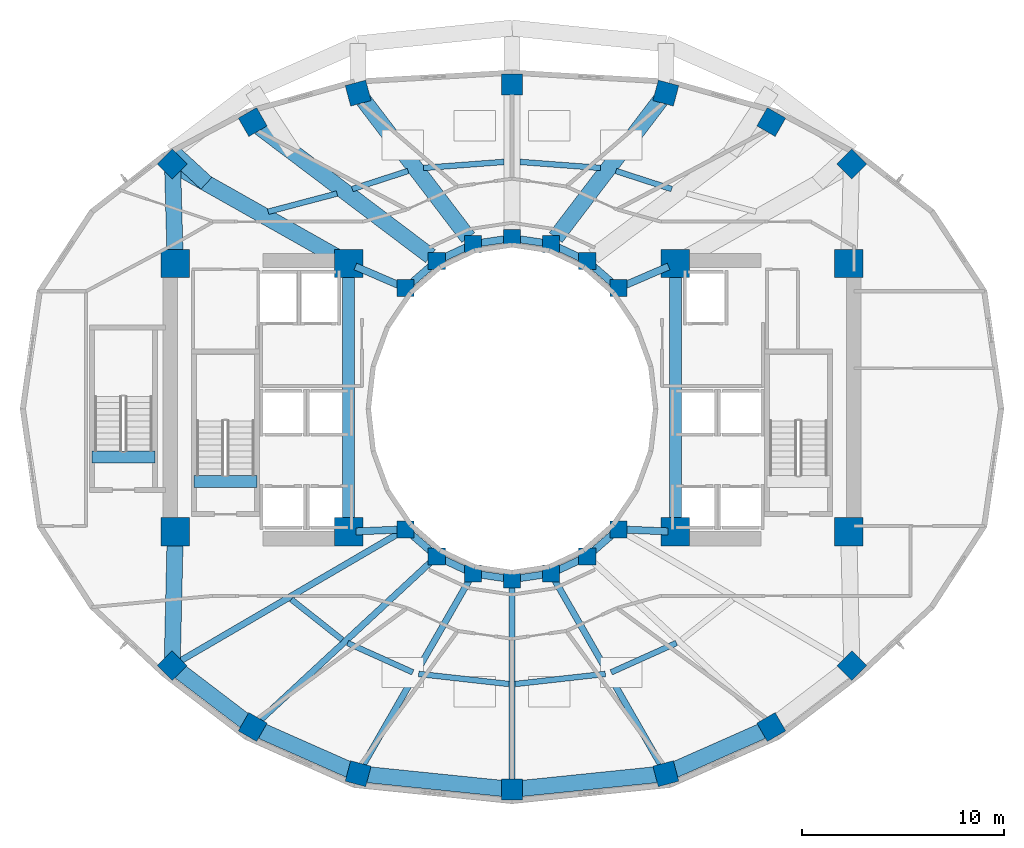
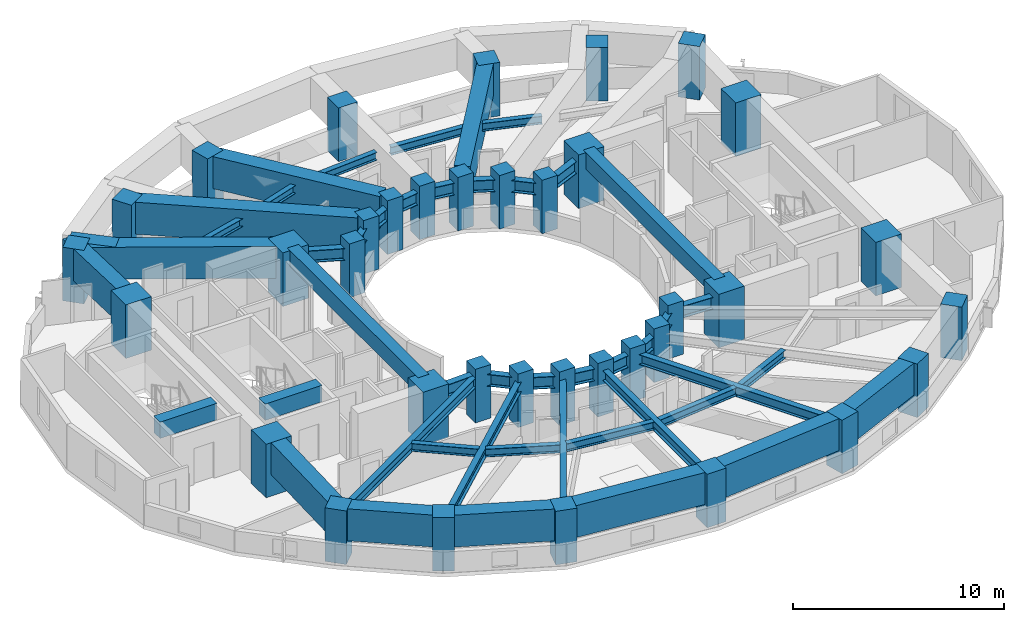
# One storey, part 1 of 10: 47 beams, 36 columns.
"""IFC4 building model written with IfcOpenShell, lengths in metres."""

from ifc_helpers import new_model, si_unit, direction, frame, origin, origin_2d, place, context, subcontext, project, spatial, rectangle, i_section, extrude, material, material_profile, profile_set, type_object, element, save


model = new_model("IFC4")

# Units and contexts
model_context = context("Model", 3, precision=1e-05, world=origin(), true_north=direction((0.0, 1.0)))
body_context = subcontext(model_context, "Body", "Model", "MODEL_VIEW")
ifc_project = project(units=[si_unit("LENGTHUNIT", "METRE"), si_unit("AREAUNIT", "SQUARE_METRE"), si_unit("VOLUMEUNIT", "CUBIC_METRE"), si_unit("PLANEANGLEUNIT", "RADIAN"), si_unit("MASSUNIT", "GRAM", prefix="KILO")], contexts=[model_context])

# Site, building, storey
site_placement = place(None, origin())
site = spatial("IfcSite", under=ifc_project, at=site_placement, CompositionType="ELEMENT")
building_placement = place(site_placement, origin())
building = spatial("IfcBuilding", under=site, at=building_placement, Name="Solvane Sanctuary Tower", CompositionType="ELEMENT")
storey_placement = place(building_placement, frame((0.0, 0.0, 101.10009765625)))
storey = spatial("IfcBuildingStorey", under=building, at=storey_placement, Name="L30", CompositionType="ELEMENT", Elevation=101.10009765625)

# Columns
ifc_material_1 = material(Name="Concrete C70/85", Category="concrete")
ifc_material_profile_1 = material_profile(ifc_material_1, rectangle(XDim=1.39990234375, YDim=1.39990234375, at=origin_2d()), Name="RC1400X1400")
ifc_profile_set_1 = profile_set([ifc_material_profile_1], Name="Concrete C70/85")
column_type_1 = type_object("IfcColumnType", Name="Column C-POD-INT RC1400X1400", PredefinedType="COLUMN", material=ifc_profile_set_1)
for number, where, z_axis, x_axis, name in (
    (1, (15.300048828125, 16.89990234375, 0.0), (0.0, 0.0, 1.0), (1.0, 0.0, 0.0), "L30 Core Corner Column CW1"),
    (2, (23.89990234375, 16.89990234375, 0.0), (0.0, 0.0, 1.0), (1.0, 0.0, 0.0), "L30 Core Corner Column CW2"),
    (3, (23.89990234375, 30.199951171875, 0.0), (0.0, 0.0, 1.0), (1.0, 0.0, 0.0), "L30 Core Corner Column CW3"),
    (4, (15.300048828125, 30.199951171875, 0.0), (0.0, 0.0, 1.0), (1.0, 0.0, 0.0), "L30 Core Corner Column CW4"),
    (5, (40.10009765625, 16.89990234375, 0.0), (0.0, 0.0, 1.0), (1.0, 0.0, 0.0), "L30 Core Corner Column CE1"),
    (6, (48.699951171875, 16.89990234375, 0.0), (0.0, 0.0, 1.0), (1.0, 0.0, 0.0), "L30 Core Corner Column CE2"),
    (7, (48.699951171875, 30.199951171875, 0.0), (0.0, 0.0, 1.0), (1.0, 0.0, 0.0), "L30 Core Corner Column CE3"),
    (8, (40.10009765625, 30.199951171875, 0.0), (0.0, 0.0, 1.0), (1.0, 0.0, 0.0), "L30 Core Corner Column CE4"),
):
    element("IfcColumn", number, at=place(storey_placement, frame(where, z_axis=z_axis, x_axis=x_axis)), inside=storey, type_object=column_type_1, Name=name, PredefinedType="COLUMN", context=body_context, shape_type="SweptSolid", body=[
        extrude(rectangle(XDim=1.39990234375, YDim=1.39990234375, at=origin_2d()), origin(), (0.0, 0.0, 1.0), 3.099853515625),
    ])
ifc_material_2 = material(Name="Concrete C60/75", Category="concrete")
ifc_material_profile_2 = material_profile(ifc_material_2, rectangle(XDim=0.85009765625, YDim=0.85009765625, at=origin_2d()), Name="RC850X850")
ifc_profile_set_2 = profile_set([ifc_material_profile_2], Name="Concrete C60/75")
column_type_2 = type_object("IfcColumnType", Name="Column C-RING-Z2 RC850X850", PredefinedType="COLUMN", material=ifc_profile_set_2)
for number, where, z_axis, x_axis, name in (
    (9, (37.27490234375, 28.982177734375, 0.0), (0.0, 0.0, 1.0), (1.0, 0.0, 0.0), "L30 Inner Light-Well Ring Column IC01"),
    (10, (35.72998046875, 30.32666015625, 0.0), (0.0, 0.0, 1.0), (1.0, 0.0, 0.0), "L30 Inner Light-Well Ring Column IC02"),
    (11, (33.930908203125, 31.171630859375, 0.0), (0.0, 0.0, 1.0), (1.0, 0.0, 0.0), "L30 Inner Light-Well Ring Column IC03"),
    (12, (32.0, 31.4599609375, 0.0), (0.0, 0.0, 1.0), (1.0, 0.0, 0.0), "L30 Inner Light-Well Ring Column IC04"),
    (13, (30.069091796875, 31.171630859375, 0.0), (0.0, 0.0, 1.0), (1.0, 0.0, 0.0), "L30 Inner Light-Well Ring Column IC05"),
    (14, (28.27001953125, 30.32666015625, 0.0), (0.0, 0.0, 1.0), (1.0, 0.0, 0.0), "L30 Inner Light-Well Ring Column IC06"),
    (15, (26.72509765625, 28.982177734375, 0.0), (0.0, 0.0, 1.0), (1.0, 0.0, 0.0), "L30 Inner Light-Well Ring Column IC07"),
    (16, (26.72509765625, 17.017822265625, 0.0), (0.0, 0.0, 1.0), (1.0, 0.0, 0.0), "L30 Inner Light-Well Ring Column IC08"),
    (17, (28.27001953125, 15.67333984375, 0.0), (0.0, 0.0, 1.0), (1.0, 0.0, 0.0), "L30 Inner Light-Well Ring Column IC09"),
    (18, (30.069091796875, 14.828369140625, 0.0), (0.0, 0.0, 1.0), (1.0, 0.0, 0.0), "L30 Inner Light-Well Ring Column IC10"),
    (19, (32.0, 14.5400390625, 0.0), (0.0, 0.0, 1.0), (1.0, 0.0, 0.0), "L30 Inner Light-Well Ring Column IC11"),
    (20, (33.930908203125, 14.828369140625, 0.0), (0.0, 0.0, 1.0), (1.0, 0.0, 0.0), "L30 Inner Light-Well Ring Column IC12"),
    (21, (35.72998046875, 15.67333984375, 0.0), (0.0, 0.0, 1.0), (1.0, 0.0, 0.0), "L30 Inner Light-Well Ring Column IC13"),
    (22, (37.27490234375, 17.017822265625, 0.0), (0.0, 0.0, 1.0), (1.0, 0.0, 0.0), "L30 Inner Light-Well Ring Column IC14"),
):
    element("IfcColumn", number, at=place(storey_placement, frame(where, z_axis=z_axis, x_axis=x_axis)), inside=storey, type_object=column_type_2, Name=name, PredefinedType="COLUMN", context=body_context, shape_type="SweptSolid", body=[
        extrude(rectangle(XDim=0.85009765625, YDim=0.85009765625, at=origin_2d()), origin(), (0.0, 0.0, 1.0), 3.099853515625),
    ])
ifc_material_profile_3 = material_profile(ifc_material_2, rectangle(XDim=1.050048828125, YDim=1.050048828125, at=origin_2d()), Name="RC1050X1050")
ifc_profile_set_3 = profile_set([ifc_material_profile_3], Name="Concrete C60/75")
column_type_3 = type_object("IfcColumnType", Name="Column C-TUBE-Z2 RC1050X1050", PredefinedType="COLUMN", material=ifc_profile_set_3)
for number, where, z_axis, x_axis, name in (
    (23, (48.85302734375, 35.13818359375, 0.0), (0.0, 0.0, 1.0), (0.707106781187, 0.707106781187, 0.0), "L30 Perimeter Tube Column TC01"),
    (24, (44.8583984375, 37.217529296875, 0.0), (0.0, 0.0, 1.0), (0.5, 0.866025403784, 0.0), "L30 Perimeter Tube Column TC02"),
    (25, (39.62939453125, 38.652099609375, 0.0), (0.0, 0.0, 1.0), (0.258819045103, 0.965925826289, 0.0), "L30 Perimeter Tube Column TC03"),
    (26, (32.0, 39.080078125, 0.0), (0.0, 0.0, 1.0), (0.0, 1.0, 0.0), "L30 Perimeter Tube Column TC04"),
    (27, (24.37060546875, 38.652099609375, 0.0), (0.0, 0.0, 1.0), (-0.258819045103, 0.965925826289, 0.0), "L30 Perimeter Tube Column TC05"),
    (28, (19.1416015625, 37.217529296875, 0.0), (0.0, 0.0, 1.0), (-0.5, 0.866025403784, 0.0), "L30 Perimeter Tube Column TC06"),
    (29, (15.14697265625, 35.13818359375, 0.0), (0.0, 0.0, 1.0), (-0.707106781187, 0.707106781187, 0.0), "L30 Perimeter Tube Column TC07"),
    (30, (15.14697265625, 10.257080078125, 0.0), (0.0, 0.0, 1.0), (-0.707106781187, -0.707106781187, 0.0), "L30 Perimeter Tube Column TC08"),
    (31, (19.1416015625, 7.2138671875, 0.0), (0.0, 0.0, 1.0), (-0.5, -0.866025403784, 0.0), "L30 Perimeter Tube Column TC09"),
    (32, (24.37060546875, 4.89990234375, 0.0), (0.0, 0.0, 1.0), (-0.258819045103, -0.965925826289, 0.0), "L30 Perimeter Tube Column TC10"),
    (33, (32.0, 4.1201171875, 0.0), (0.0, 0.0, 1.0), (0.0, -1.0, 0.0), "L30 Perimeter Tube Column TC11"),
    (34, (39.62939453125, 4.89990234375, 0.0), (0.0, 0.0, 1.0), (0.258819045103, -0.965925826289, 0.0), "L30 Perimeter Tube Column TC12"),
    (35, (44.8583984375, 7.2138671875, 0.0), (0.0, 0.0, 1.0), (0.5, -0.866025403784, 0.0), "L30 Perimeter Tube Column TC13"),
    (36, (48.85302734375, 10.257080078125, 0.0), (0.0, 0.0, 1.0), (0.707106781187, -0.707106781187, 0.0), "L30 Perimeter Tube Column TC14"),
):
    element("IfcColumn", number, at=place(storey_placement, frame(where, z_axis=z_axis, x_axis=x_axis)), inside=storey, type_object=column_type_3, Name=name, PredefinedType="COLUMN", context=body_context, shape_type="SweptSolid", body=[
        extrude(rectangle(XDim=1.050048828125, YDim=1.050048828125, at=origin_2d()), origin(), (0.0, 0.0, 1.0), 3.099853515625),
    ])

# Beams
ifc_material_profile_4 = material_profile(ifc_material_1, rectangle(XDim=0.60009765625, YDim=0.949951171875, at=origin_2d()), Name="RC600X950")
ifc_profile_set_4 = profile_set([ifc_material_profile_4], Name="Concrete C70/85")
beam_type_1 = type_object("IfcBeamType", Name="Beam B-COUPLE RC600X950", PredefinedType="LINTEL", material=ifc_profile_set_4)
for number, where, z_axis, x_axis, name in (
    (37, (23.89990234375, 17.35009765625, 2.625), (0.0, 1.0, 0.0), (-1.0, 0.0, 0.0), "L30 West Core Coupling Lintel"),
    (38, (40.10009765625, 17.35009765625, 2.625), (0.0, 1.0, 0.0), (-1.0, 0.0, 0.0), "L30 East Core Coupling Lintel"),
):
    element("IfcBeam", number, at=place(storey_placement, frame(where, z_axis=z_axis, x_axis=x_axis)), inside=storey, type_object=beam_type_1, Name=name, PredefinedType="LINTEL", context=body_context, shape_type="SweptSolid", body=[
        extrude(rectangle(XDim=0.60009765625, YDim=0.949951171875, at=origin_2d()), origin(), (0.0, 0.0, 1.0), 12.39990234375),
    ])
for number, where, z_axis, x_axis, name in (
    (39, (16.22998046875, 19.399169921875, 2.625), (1.0, 0.0, 0.0), (0.0, 1.0, 0.0), "L30 ST-1 Stair Floor Landing Trimmer"),
    (40, (11.169921875, 20.59912109375, 2.625), (1.0, 0.0, 0.0), (0.0, 1.0, 0.0), "L30 ST-3 Stair Floor Landing Trimmer"),
):
    element("IfcBeam", number, at=place(storey_placement, frame(where, z_axis=z_axis, x_axis=x_axis)), inside=storey, type_object=beam_type_1, Name=name, PredefinedType="LINTEL", context=body_context, shape_type="SweptSolid", body=[
        extrude(rectangle(XDim=0.60009765625, YDim=0.949951171875, at=origin_2d()), origin(), (0.0, 0.0, 1.0), 3.1201171875),
    ])
ifc_material_3 = material(Name="Steel ASTM A992 Grade 50", Category="steel")
ifc_material_profile_5 = material_profile(ifc_material_3, i_section(OverallWidth=0.31494140625, OverallDepth=0.575927734375, WebThickness=0.01513671875, FlangeThickness=0.0244140625, FilletRadius=0.014892578125, at=origin_2d()), Name="W21X122")
ifc_profile_set_5 = profile_set([ifc_material_profile_5], Name="Steel ASTM A992 Grade 50")
beam_type_2 = type_object("IfcBeamType", Name="Beam B-RAD-Z2 W21X122", PredefinedType="BEAM", material=ifc_profile_set_5)
beam_1_placement = place(storey_placement, frame((26.483154296875, 16.876708984375, 2.309814453125), z_axis=(-0.863554121542, -0.504256164234, 0.0), x_axis=(0.504256164234, -0.863554121542, 0.0)))
element("IfcBeam", 41, at=beam_1_placement, inside=storey, type_object=beam_type_2, Name="L30 Radial Composite Floor Beam 08", PredefinedType="BEAM", context=body_context, shape_type="SweptSolid", body=[
    extrude(i_section(OverallWidth=0.31494140625, OverallDepth=0.575927734375, WebThickness=0.01513671875, FlangeThickness=0.0244140625, FilletRadius=0.014892578125, at=origin_2d()), origin(), (0.0, 0.0, 1.0), 12.84716796875),
])
beam_2_placement = place(storey_placement, frame((28.064697265625, 15.483154296875, 2.309814453125), z_axis=(-0.733453775248, -0.679739332078, 0.0), x_axis=(0.679739332078, -0.733453775248, 0.0)))
element("IfcBeam", 42, at=beam_2_placement, inside=storey, type_object=beam_type_2, Name="L30 Radial Composite Floor Beam 09", PredefinedType="BEAM", context=body_context, shape_type="SweptSolid", body=[
    extrude(i_section(OverallWidth=0.31494140625, OverallDepth=0.575927734375, WebThickness=0.01513671875, FlangeThickness=0.0244140625, FilletRadius=0.014892578125, at=origin_2d()), origin(), (0.0, 0.0, 1.0), 11.885498046875),
])
beam_3_placement = place(storey_placement, frame((29.9296875, 14.58544921875, 2.309814453125), z_axis=(-0.497792245326, -0.8672963049, 0.0), x_axis=(0.8672963049, -0.497792245326, 0.0)))
element("IfcBeam", 43, at=beam_3_placement, inside=storey, type_object=beam_type_2, Name="L30 Radial Composite Floor Beam 10", PredefinedType="BEAM", context=body_context, shape_type="SweptSolid", body=[
    extrude(i_section(OverallWidth=0.31494140625, OverallDepth=0.575927734375, WebThickness=0.01513671875, FlangeThickness=0.0244140625, FilletRadius=0.014892578125, at=origin_2d()), origin(), (0.0, 0.0, 1.0), 10.887451171875),
])
beam_4_placement = place(storey_placement, frame((32.0, 14.260009765625, 2.309814453125), z_axis=(0.0, -1.0, 0.0), x_axis=(1.0, 0.0, 0.0)))
element("IfcBeam", 44, at=beam_4_placement, inside=storey, type_object=beam_type_2, Name="L30 Radial Composite Floor Beam 11", PredefinedType="BEAM", context=body_context, shape_type="SweptSolid", body=[
    extrude(i_section(OverallWidth=0.31494140625, OverallDepth=0.575927734375, WebThickness=0.01513671875, FlangeThickness=0.0244140625, FilletRadius=0.014892578125, at=origin_2d()), origin(), (0.0, 0.0, 1.0), 9.860107421875),
])
beam_5_placement = place(storey_placement, frame((34.0703125, 14.58544921875, 2.309814453125), z_axis=(0.497792245326, -0.8672963049, 0.0), x_axis=(0.8672963049, 0.497792245326, 0.0)))
element("IfcBeam", 45, at=beam_5_placement, inside=storey, type_object=beam_type_2, Name="L30 Radial Composite Floor Beam 12", PredefinedType="BEAM", context=body_context, shape_type="SweptSolid", body=[
    extrude(i_section(OverallWidth=0.31494140625, OverallDepth=0.575927734375, WebThickness=0.01513671875, FlangeThickness=0.0244140625, FilletRadius=0.014892578125, at=origin_2d()), origin(), (0.0, 0.0, 1.0), 10.887451171875),
])
ifc_material_profile_6 = material_profile(ifc_material_3, i_section(OverallWidth=0.35498046875, OverallDepth=0.695068359375, WebThickness=0.015380859375, FlangeThickness=0.02490234375, FilletRadius=0.01806640625, at=origin_2d()), Name="W27X146")
ifc_profile_set_6 = profile_set([ifc_material_profile_6], Name="Steel ASTM A992 Grade 50")
beam_type_3 = type_object("IfcBeamType", Name="Beam B-RING-IN1 W27X146", PredefinedType="BEAM", material=ifc_profile_set_6)
beam_6_placement = place(storey_placement, frame((24.230712890625, 30.0576171875, 2.25048828125), z_axis=(0.918261456479, -0.3959746173, 0.0), x_axis=(0.3959746173, 0.918261456479, 0.0)))
element("IfcBeam", 46, at=beam_6_placement, inside=storey, type_object=beam_type_3, Name="L30 Inner Light-Well Ring Beam CW3-IC07", PredefinedType="BEAM", context=body_context, shape_type="SweptSolid", body=[
    extrude(i_section(OverallWidth=0.35498046875, OverallDepth=0.695068359375, WebThickness=0.015380859375, FlangeThickness=0.02490234375, FilletRadius=0.01806640625, at=origin_2d()), origin(), (0.0, 0.0, 1.0), 2.3212890625),
])
beam_7_placement = place(storey_placement, frame((27.02294921875, 29.241455078125, 2.25048828125), z_axis=(0.754317177099, 0.656510164684, 0.0), x_axis=(-0.656510164684, 0.754317177099, 0.0)))
element("IfcBeam", 47, at=beam_7_placement, inside=storey, type_object=beam_type_3, Name="L30 Inner Light-Well Ring Beam IC07-IC06", PredefinedType="BEAM", context=body_context, shape_type="SweptSolid", body=[
    extrude(i_section(OverallWidth=0.35498046875, OverallDepth=0.695068359375, WebThickness=0.015380859375, FlangeThickness=0.02490234375, FilletRadius=0.01806640625, at=origin_2d()), origin(), (0.0, 0.0, 1.0), 1.258056640625),
])
beam_8_placement = place(storey_placement, frame((28.62744140625, 30.494384765625, 2.25048828125), z_axis=(0.905044882818, 0.425316070804, 0.0), x_axis=(-0.425316070804, 0.905044882818, 0.0)))
element("IfcBeam", 48, at=beam_8_placement, inside=storey, type_object=beam_type_3, Name="L30 Inner Light-Well Ring Beam IC06-IC05", PredefinedType="BEAM", context=body_context, shape_type="SweptSolid", body=[
    extrude(i_section(OverallWidth=0.35498046875, OverallDepth=0.695068359375, WebThickness=0.015380859375, FlangeThickness=0.02490234375, FilletRadius=0.01806640625, at=origin_2d()), origin(), (0.0, 0.0, 1.0), 1.197998046875),
])
for number, where, z_axis, x_axis, name in (
    (49, (30.4599609375, 31.22998046875, 2.25048828125), (0.989034751611, 0.147682971619, 0.0), (-0.147682971619, 0.989034751611, 0.0), "L30 Inner Light-Well Ring Beam IC05-IC04"),
    (50, (32.390625, 31.401611328125, 2.25048828125), (0.989034751611, -0.147682971619, 0.0), (0.147682971619, 0.989034751611, 0.0), "L30 Inner Light-Well Ring Beam IC04-IC03"),
):
    element("IfcBeam", number, at=place(storey_placement, frame(where, z_axis=z_axis, x_axis=x_axis)), inside=storey, type_object=beam_type_3, Name=name, PredefinedType="BEAM", context=body_context, shape_type="SweptSolid", body=[
        extrude(i_section(OverallWidth=0.35498046875, OverallDepth=0.695068359375, WebThickness=0.015380859375, FlangeThickness=0.02490234375, FilletRadius=0.01806640625, at=origin_2d()), origin(), (0.0, 0.0, 1.0), 1.162109375),
    ])
beam_9_placement = place(storey_placement, frame((34.288330078125, 31.00390625, 2.25048828125), z_axis=(0.905044882818, -0.425316070804, 0.0), x_axis=(0.425316070804, 0.905044882818, 0.0)))
element("IfcBeam", 51, at=beam_9_placement, inside=storey, type_object=beam_type_3, Name="L30 Inner Light-Well Ring Beam IC03-IC02", PredefinedType="BEAM", context=body_context, shape_type="SweptSolid", body=[
    extrude(i_section(OverallWidth=0.35498046875, OverallDepth=0.695068359375, WebThickness=0.015380859375, FlangeThickness=0.02490234375, FilletRadius=0.01806640625, at=origin_2d()), origin(), (0.0, 0.0, 1.0), 1.197998046875),
])
beam_10_placement = place(storey_placement, frame((36.028076171875, 30.0673828125, 2.25048828125), z_axis=(0.754317177099, -0.656510164684, 0.0), x_axis=(0.656510164684, 0.754317177099, 0.0)))
element("IfcBeam", 52, at=beam_10_placement, inside=storey, type_object=beam_type_3, Name="L30 Inner Light-Well Ring Beam IC02-IC01", PredefinedType="BEAM", context=body_context, shape_type="SweptSolid", body=[
    extrude(i_section(OverallWidth=0.35498046875, OverallDepth=0.695068359375, WebThickness=0.015380859375, FlangeThickness=0.02490234375, FilletRadius=0.01806640625, at=origin_2d()), origin(), (0.0, 0.0, 1.0), 1.258056640625),
])
beam_11_placement = place(storey_placement, frame((37.6376953125, 29.138427734375, 2.25048828125), z_axis=(0.918261456479, 0.3959746173, 0.0), x_axis=(-0.3959746173, 0.918261456479, 0.0)))
element("IfcBeam", 53, at=beam_11_placement, inside=storey, type_object=beam_type_3, Name="L30 Inner Light-Well Ring Beam IC01-CE4", PredefinedType="BEAM", context=body_context, shape_type="SweptSolid", body=[
    extrude(i_section(OverallWidth=0.35498046875, OverallDepth=0.695068359375, WebThickness=0.015380859375, FlangeThickness=0.02490234375, FilletRadius=0.01806640625, at=origin_2d()), origin(), (0.0, 0.0, 1.0), 2.3212890625),
])
beam_12_placement = place(storey_placement, frame((24.259765625, 16.9150390625, 2.25048828125), z_axis=(0.999130007788, 0.041704047018, 0.0), x_axis=(-0.041704047018, 0.999130007788, 0.0)))
element("IfcBeam", 54, at=beam_12_placement, inside=storey, type_object=beam_type_3, Name="L30 Inner Light-Well Ring Beam CW2-IC08", PredefinedType="BEAM", context=body_context, shape_type="SweptSolid", body=[
    extrude(i_section(OverallWidth=0.35498046875, OverallDepth=0.695068359375, WebThickness=0.015380859375, FlangeThickness=0.02490234375, FilletRadius=0.01806640625, at=origin_2d()), origin(), (0.0, 0.0, 1.0), 2.072265625),
])
beam_13_placement = place(storey_placement, frame((27.02294921875, 16.758544921875, 2.25048828125), z_axis=(0.754317177099, -0.656510164684, 0.0), x_axis=(0.656510164684, 0.754317177099, 0.0)))
element("IfcBeam", 55, at=beam_13_placement, inside=storey, type_object=beam_type_3, Name="L30 Inner Light-Well Ring Beam IC08-IC09", PredefinedType="BEAM", context=body_context, shape_type="SweptSolid", body=[
    extrude(i_section(OverallWidth=0.35498046875, OverallDepth=0.695068359375, WebThickness=0.015380859375, FlangeThickness=0.02490234375, FilletRadius=0.01806640625, at=origin_2d()), origin(), (0.0, 0.0, 1.0), 1.258056640625),
])
beam_14_placement = place(storey_placement, frame((28.62744140625, 15.505615234375, 2.25048828125), z_axis=(0.905044882818, -0.425316070804, 0.0), x_axis=(0.425316070804, 0.905044882818, 0.0)))
element("IfcBeam", 56, at=beam_14_placement, inside=storey, type_object=beam_type_3, Name="L30 Inner Light-Well Ring Beam IC09-IC10", PredefinedType="BEAM", context=body_context, shape_type="SweptSolid", body=[
    extrude(i_section(OverallWidth=0.35498046875, OverallDepth=0.695068359375, WebThickness=0.015380859375, FlangeThickness=0.02490234375, FilletRadius=0.01806640625, at=origin_2d()), origin(), (0.0, 0.0, 1.0), 1.197998046875),
])
for number, where, z_axis, x_axis, name in (
    (57, (30.4599609375, 14.77001953125, 2.25048828125), (0.989034751611, -0.147682971619, 0.0), (0.147682971619, 0.989034751611, 0.0), "L30 Inner Light-Well Ring Beam IC10-IC11"),
    (58, (32.390625, 14.598388671875, 2.25048828125), (0.989034751611, 0.147682971619, 0.0), (-0.147682971619, 0.989034751611, 0.0), "L30 Inner Light-Well Ring Beam IC11-IC12"),
):
    element("IfcBeam", number, at=place(storey_placement, frame(where, z_axis=z_axis, x_axis=x_axis)), inside=storey, type_object=beam_type_3, Name=name, PredefinedType="BEAM", context=body_context, shape_type="SweptSolid", body=[
        extrude(i_section(OverallWidth=0.35498046875, OverallDepth=0.695068359375, WebThickness=0.015380859375, FlangeThickness=0.02490234375, FilletRadius=0.01806640625, at=origin_2d()), origin(), (0.0, 0.0, 1.0), 1.162109375),
    ])
beam_15_placement = place(storey_placement, frame((34.288330078125, 14.99609375, 2.25048828125), z_axis=(0.905044882818, 0.425316070804, 0.0), x_axis=(-0.425316070804, 0.905044882818, 0.0)))
element("IfcBeam", 59, at=beam_15_placement, inside=storey, type_object=beam_type_3, Name="L30 Inner Light-Well Ring Beam IC12-IC13", PredefinedType="BEAM", context=body_context, shape_type="SweptSolid", body=[
    extrude(i_section(OverallWidth=0.35498046875, OverallDepth=0.695068359375, WebThickness=0.015380859375, FlangeThickness=0.02490234375, FilletRadius=0.01806640625, at=origin_2d()), origin(), (0.0, 0.0, 1.0), 1.197998046875),
])
beam_16_placement = place(storey_placement, frame((36.028076171875, 15.9326171875, 2.25048828125), z_axis=(0.754317177099, 0.656510164684, 0.0), x_axis=(-0.656510164684, 0.754317177099, 0.0)))
element("IfcBeam", 60, at=beam_16_placement, inside=storey, type_object=beam_type_3, Name="L30 Inner Light-Well Ring Beam IC13-IC14", PredefinedType="BEAM", context=body_context, shape_type="SweptSolid", body=[
    extrude(i_section(OverallWidth=0.35498046875, OverallDepth=0.695068359375, WebThickness=0.015380859375, FlangeThickness=0.02490234375, FilletRadius=0.01806640625, at=origin_2d()), origin(), (0.0, 0.0, 1.0), 1.258056640625),
])
beam_17_placement = place(storey_placement, frame((37.669677734375, 17.00146484375, 2.25048828125), z_axis=(0.999130007788, -0.041704047018, 0.0), x_axis=(0.041704047018, 0.999130007788, 0.0)))
element("IfcBeam", 61, at=beam_17_placement, inside=storey, type_object=beam_type_3, Name="L30 Inner Light-Well Ring Beam IC14-CE1", PredefinedType="BEAM", context=body_context, shape_type="SweptSolid", body=[
    extrude(i_section(OverallWidth=0.35498046875, OverallDepth=0.695068359375, WebThickness=0.015380859375, FlangeThickness=0.02490234375, FilletRadius=0.01806640625, at=origin_2d()), origin(), (0.0, 0.0, 1.0), 2.072265625),
])
ifc_material_profile_7 = material_profile(ifc_material_3, i_section(OverallWidth=0.280029296875, OverallDepth=0.462890625, WebThickness=0.0107421875, FlangeThickness=0.017333984375, FilletRadius=0.013916015625, at=origin_2d()), Name="W18X76")
ifc_profile_set_7 = profile_set([ifc_material_profile_7], Name="Steel ASTM A992 Grade 50")
beam_type_4 = type_object("IfcBeamType", Name="Beam B-SEC-JOIST W18X76", PredefinedType="JOIST", material=ifc_profile_set_7)
beam_18_placement = place(storey_placement, frame((19.905517578125, 32.769775390625, 2.366455078125), z_axis=(0.966933950573, 0.2550269304, 0.0), x_axis=(-0.2550269304, 0.966933950573, 0.0)))
element("IfcBeam", 62, at=beam_18_placement, inside=storey, type_object=beam_type_4, Name="L30 Secondary Circumferential Joist 07-06", PredefinedType="JOIST", context=body_context, shape_type="SweptSolid", body=[
    extrude(i_section(OverallWidth=0.280029296875, OverallDepth=0.462890625, WebThickness=0.0107421875, FlangeThickness=0.017333984375, FilletRadius=0.013916015625, at=origin_2d()), origin(), (0.0, 0.0, 1.0), 3.535400390625),
])
beam_19_placement = place(storey_placement, frame((24.08154296875, 33.89404296875, 2.366455078125), z_axis=(0.951224152345, 0.308500586701, 0.0), x_axis=(-0.308500586701, 0.951224152345, 0.0)))
element("IfcBeam", 63, at=beam_19_placement, inside=storey, type_object=beam_type_4, Name="L30 Secondary Circumferential Joist 06-05", PredefinedType="JOIST", context=body_context, shape_type="SweptSolid", body=[
    extrude(i_section(OverallWidth=0.280029296875, OverallDepth=0.462890625, WebThickness=0.0107421875, FlangeThickness=0.017333984375, FilletRadius=0.013916015625, at=origin_2d()), origin(), (0.0, 0.0, 1.0), 2.904296875),
])
for number, where, z_axis, x_axis, name in (
    (64, (27.61376953125, 34.94140625, 2.366455078125), (0.997206014057, 0.074700505548, 0.0), (-0.074700505548, 0.997206014057, 0.0), "L30 Secondary Circumferential Joist 05-04"),
    (65, (32.393798828125, 35.240478515625, 2.366455078125), (0.997206014057, -0.074700505548, 0.0), (0.074700505548, 0.997206014057, 0.0), "L30 Secondary Circumferential Joist 04-03"),
):
    element("IfcBeam", number, at=place(storey_placement, frame(where, z_axis=z_axis, x_axis=x_axis)), inside=storey, type_object=beam_type_4, Name=name, PredefinedType="JOIST", context=body_context, shape_type="SweptSolid", body=[
        extrude(i_section(OverallWidth=0.280029296875, OverallDepth=0.462890625, WebThickness=0.0107421875, FlangeThickness=0.017333984375, FilletRadius=0.013916015625, at=origin_2d()), origin(), (0.0, 0.0, 1.0), 4.003662109375),
    ])
beam_20_placement = place(storey_placement, frame((37.15576171875, 34.7900390625, 2.366455078125), z_axis=(0.951224152345, -0.308500586701, 0.0), x_axis=(0.308500586701, 0.951224152345, 0.0)))
element("IfcBeam", 66, at=beam_20_placement, inside=storey, type_object=beam_type_4, Name="L30 Secondary Circumferential Joist 03-02", PredefinedType="JOIST", context=body_context, shape_type="SweptSolid", body=[
    extrude(i_section(OverallWidth=0.280029296875, OverallDepth=0.462890625, WebThickness=0.0107421875, FlangeThickness=0.017333984375, FilletRadius=0.013916015625, at=origin_2d()), origin(), (0.0, 0.0, 1.0), 2.904296875),
])
beam_21_placement = place(storey_placement, frame((21.055419921875, 13.54296875, 2.366455078125), z_axis=(0.783877123324, -0.620915981055, 0.0), x_axis=(0.620915981055, 0.783877123324, 0.0)))
element("IfcBeam", 67, at=beam_21_placement, inside=storey, type_object=beam_type_4, Name="L30 Secondary Circumferential Joist 08-09", PredefinedType="JOIST", context=body_context, shape_type="SweptSolid", body=[
    extrude(i_section(OverallWidth=0.280029296875, OverallDepth=0.462890625, WebThickness=0.0107421875, FlangeThickness=0.017333984375, FilletRadius=0.013916015625, at=origin_2d()), origin(), (0.0, 0.0, 1.0), 3.228515625),
])
beam_22_placement = place(storey_placement, frame((23.844970703125, 11.381103515625, 2.366455078125), z_axis=(0.912109406194, -0.409946863792, 0.0), x_axis=(0.409946863792, 0.912109406194, 0.0)))
element("IfcBeam", 68, at=beam_22_placement, inside=storey, type_object=beam_type_4, Name="L30 Secondary Circumferential Joist 09-10", PredefinedType="JOIST", context=body_context, shape_type="SweptSolid", body=[
    extrude(i_section(OverallWidth=0.280029296875, OverallDepth=0.462890625, WebThickness=0.0107421875, FlangeThickness=0.017333984375, FilletRadius=0.013916015625, at=origin_2d()), origin(), (0.0, 0.0, 1.0), 3.547607421875),
])
for number, where, z_axis, x_axis, name in (
    (69, (27.37158203125, 9.847412109375, 2.366455078125), (0.993808821383, -0.111103674747, 0.0), (0.111103674747, 0.993808821383, 0.0), "L30 Secondary Circumferential Joist 10-11"),
    (70, (32.151611328125, 9.346923828125, 2.366455078125), (0.993808821383, 0.111103674747, 0.0), (-0.111103674747, 0.993808821383, 0.0), "L30 Secondary Circumferential Joist 11-12"),
):
    element("IfcBeam", number, at=place(storey_placement, frame(where, z_axis=z_axis, x_axis=x_axis)), inside=storey, type_object=beam_type_4, Name=name, PredefinedType="JOIST", context=body_context, shape_type="SweptSolid", body=[
        extrude(i_section(OverallWidth=0.280029296875, OverallDepth=0.462890625, WebThickness=0.0107421875, FlangeThickness=0.017333984375, FilletRadius=0.013916015625, at=origin_2d()), origin(), (0.0, 0.0, 1.0), 4.504638671875),
    ])
beam_23_placement = place(storey_placement, frame((36.919189453125, 9.9267578125, 2.366455078125), z_axis=(0.912109406194, 0.409946863792, 0.0), x_axis=(-0.409946863792, 0.912109406194, 0.0)))
element("IfcBeam", 71, at=beam_23_placement, inside=storey, type_object=beam_type_4, Name="L30 Secondary Circumferential Joist 12-13", PredefinedType="JOIST", context=body_context, shape_type="SweptSolid", body=[
    extrude(i_section(OverallWidth=0.280029296875, OverallDepth=0.462890625, WebThickness=0.0107421875, FlangeThickness=0.017333984375, FilletRadius=0.013916015625, at=origin_2d()), origin(), (0.0, 0.0, 1.0), 3.547607421875),
])
ifc_material_profile_8 = material_profile(ifc_material_1, rectangle(XDim=0.800048828125, YDim=1.85009765625, at=origin_2d()), Name="RC800X1850")
ifc_profile_set_8 = profile_set([ifc_material_profile_8], Name="Concrete C70/85")
beam_type_5 = type_object("IfcBeamType", Name="Beam B-XFER-BLK RC800X1850", PredefinedType="BEAM", material=ifc_profile_set_8)
for number, where, z_axis, x_axis, name in (
    (72, (34.170166015625, 31.48583984375, 2.1748046875), (0.605981369549, 0.795478836777, 0.0), (-0.795478836777, 0.605981369549, 0.0), "L30 Block-Shift Radial Transfer Girder 03A"),
    (73, (29.829833984375, 31.48583984375, 2.1748046875), (-0.605981369549, 0.795478836777, 0.0), (-0.795478836777, -0.605981369549, 0.0), "L30 Block-Shift Radial Transfer Girder 05A"),
):
    element("IfcBeam", number, at=place(storey_placement, frame(where, z_axis=z_axis, x_axis=x_axis)), inside=storey, type_object=beam_type_5, Name=name, PredefinedType="BEAM", context=body_context, shape_type="SweptSolid", body=[
        extrude(rectangle(XDim=0.800048828125, YDim=1.85009765625, at=origin_2d()), origin(), (0.0, 0.0, 1.0), 8.563720703125),
    ])
beam_24_placement = place(storey_placement, frame((27.95458984375, 30.564697265625, 2.1748046875), z_axis=(-0.798118916751, 0.602499954128, 0.0), x_axis=(-0.602499954128, -0.798118916751, 0.0)))
element("IfcBeam", 74, at=beam_24_placement, inside=storey, type_object=beam_type_5, Name="L30 Block-Shift Radial Transfer Girder 06A", PredefinedType="BEAM", context=body_context, shape_type="SweptSolid", body=[
    extrude(rectangle(XDim=0.800048828125, YDim=1.85009765625, at=origin_2d()), origin(), (0.0, 0.0, 1.0), 10.59716796875),
])
beam_25_placement = place(storey_placement, frame((23.58642578125, 30.376953125, 2.1748046875), z_axis=(-0.870957023886, 0.491359199103, 0.0), x_axis=(-0.491359199103, -0.870957023886, 0.0)))
element("IfcBeam", 75, at=beam_25_placement, inside=storey, type_object=beam_type_5, Name="L30 Block-Shift Radial Transfer Girder 07A", PredefinedType="BEAM", context=body_context, shape_type="SweptSolid", body=[
    extrude(rectangle(XDim=0.800048828125, YDim=1.85009765625, at=origin_2d()), origin(), (0.0, 0.0, 1.0), 9.24462890625),
])
beam_26_placement = place(storey_placement, frame((16.845458984375, 34.179931640625, 2.1748046875), z_axis=(-0.735848790929, 0.677145890402, 0.0), x_axis=(-0.677145890402, -0.735848790929, 0.0)))
element("IfcBeam", 76, at=beam_26_placement, inside=storey, type_object=beam_type_5, Name="L30 Block-Shift Transfer Tie 07B", PredefinedType="BEAM", context=body_context, shape_type="SweptSolid", body=[
    extrude(rectangle(XDim=0.800048828125, YDim=1.85009765625, at=origin_2d()), origin(), (0.0, 0.0, 1.0), 2.30810546875),
])
beam_27_placement = place(storey_placement, frame((15.2900390625, 30.559814453125, 2.1748046875), z_axis=(-0.027591940282, 0.999619269938, 0.0), x_axis=(-0.999619269938, -0.027591940282, 0.0)))
element("IfcBeam", 77, at=beam_27_placement, inside=storey, type_object=beam_type_5, Name="L30 Perimeter Step Transfer Ring CW4-NTC07", PredefinedType="BEAM", context=body_context, shape_type="SweptSolid", body=[
    extrude(rectangle(XDim=0.800048828125, YDim=1.85009765625, at=origin_2d()), origin(), (0.0, 0.0, 1.0), 5.18505859375),
])
beam_28_placement = place(storey_placement, frame((15.291748046875, 16.5400390625, 2.1748046875), z_axis=(-0.023036434167, -0.999734626139, 0.0), x_axis=(0.999734626139, -0.023036434167, 0.0)))
element("IfcBeam", 78, at=beam_28_placement, inside=storey, type_object=beam_type_5, Name="L30 Perimeter Step Transfer Ring CW1-NTC08", PredefinedType="BEAM", context=body_context, shape_type="SweptSolid", body=[
    extrude(rectangle(XDim=0.800048828125, YDim=1.85009765625, at=origin_2d()), origin(), (0.0, 0.0, 1.0), 6.28466796875),
])
beam_29_placement = place(storey_placement, frame((15.14697265625, 10.257080078125, 2.1748046875), z_axis=(0.795461851464, -0.606003665719, 0.0), x_axis=(0.606003665719, 0.795461851464, 0.0)))
element("IfcBeam", 79, at=beam_29_placement, inside=storey, type_object=beam_type_5, Name="L30 Perimeter Step Transfer Ring NTC08-NTC09", PredefinedType="BEAM", context=body_context, shape_type="SweptSolid", body=[
    extrude(rectangle(XDim=0.800048828125, YDim=1.85009765625, at=origin_2d()), origin(), (0.0, 0.0, 1.0), 5.021728515625),
])
beam_30_placement = place(storey_placement, frame((19.1416015625, 7.2138671875, 2.1748046875), z_axis=(0.914461816427, -0.404672196101, 0.0), x_axis=(0.404672196101, 0.914461816427, 0.0)))
element("IfcBeam", 80, at=beam_30_placement, inside=storey, type_object=beam_type_5, Name="L30 Perimeter Step Transfer Ring NTC09-NTC10", PredefinedType="BEAM", context=body_context, shape_type="SweptSolid", body=[
    extrude(rectangle(XDim=0.800048828125, YDim=1.85009765625, at=origin_2d()), origin(), (0.0, 0.0, 1.0), 5.718017578125),
])
for number, where, z_axis, x_axis, name in (
    (81, (24.37060546875, 4.89990234375, 2.1748046875), (0.994817332657, -0.101678289936, 0.0), (0.101678289936, 0.994817332657, 0.0), "L30 Perimeter Step Transfer Ring NTC10-NTC11"),
    (82, (32.0, 4.1201171875, 2.1748046875), (0.994817332657, 0.101678289936, 0.0), (-0.101678289936, 0.994817332657, 0.0), "L30 Perimeter Step Transfer Ring NTC11-NTC12"),
):
    element("IfcBeam", number, at=place(storey_placement, frame(where, z_axis=z_axis, x_axis=x_axis)), inside=storey, type_object=beam_type_5, Name=name, PredefinedType="BEAM", context=body_context, shape_type="SweptSolid", body=[
        extrude(rectangle(XDim=0.800048828125, YDim=1.85009765625, at=origin_2d()), origin(), (0.0, 0.0, 1.0), 7.669189453125),
    ])
beam_31_placement = place(storey_placement, frame((39.62939453125, 4.89990234375, 2.1748046875), z_axis=(0.914461816427, 0.404672196101, 0.0), x_axis=(-0.404672196101, 0.914461816427, 0.0)))
element("IfcBeam", 83, at=beam_31_placement, inside=storey, type_object=beam_type_5, Name="L30 Perimeter Step Transfer Ring NTC12-NTC13", PredefinedType="BEAM", context=body_context, shape_type="SweptSolid", body=[
    extrude(rectangle(XDim=0.800048828125, YDim=1.85009765625, at=origin_2d()), origin(), (0.0, 0.0, 1.0), 5.718017578125),
])

save(model, "model.ifc")
